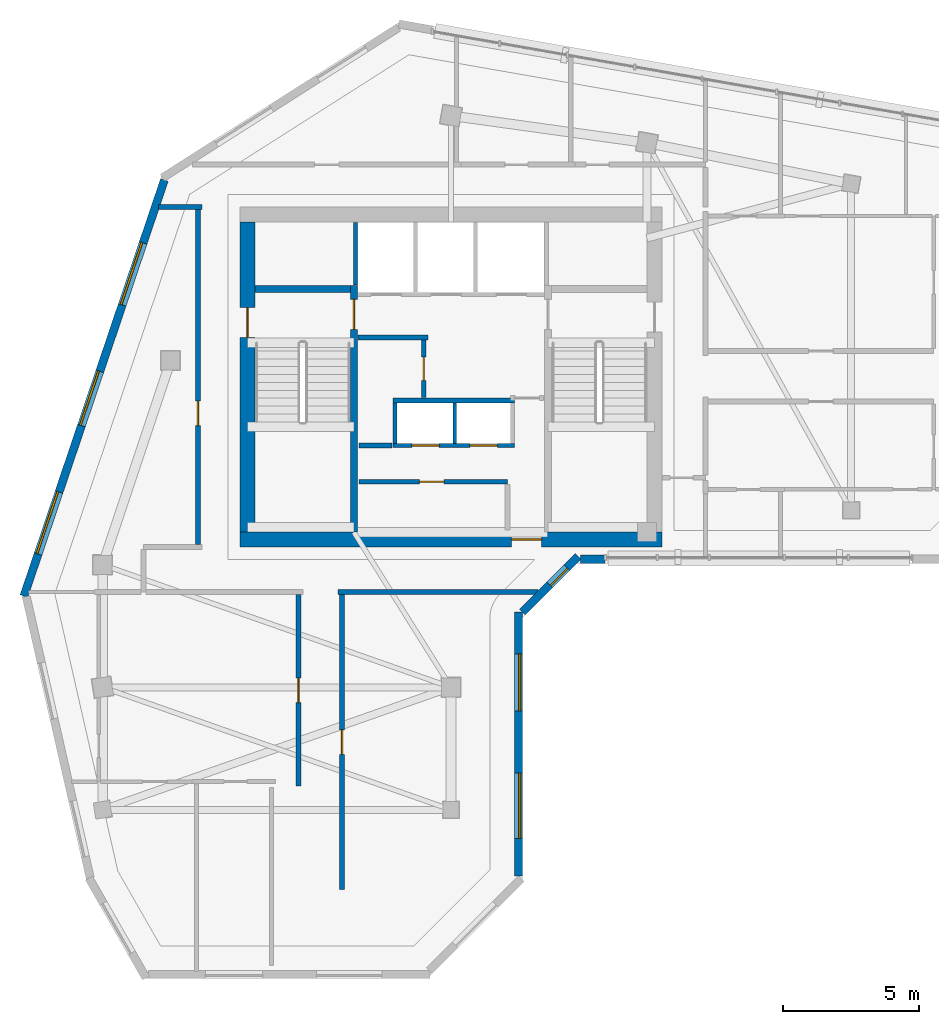
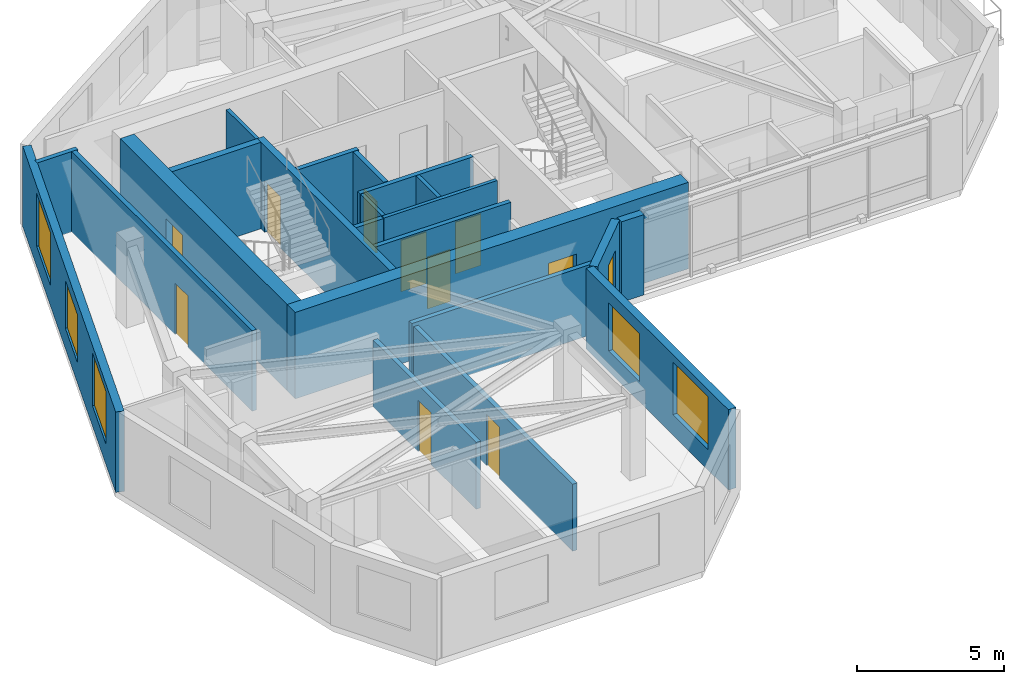
# One storey, part 4 of 9: 22 walls, 10 doors, 6 windows, 16 openings.
"""IFC4 building model written with IfcOpenShell, lengths in metres."""

from ifc_helpers import new_model, si_unit, direction, frame, frame_2d, origin, place, context, subcontext, project, spatial, rectangle, extrude, source, transform, mapped, material, layer, layer_set, type_object, element, fill, save


model = new_model("IFC4")

# Units and contexts
model_context = context("Model", 3, precision=1e-05, world=origin(), true_north=direction((0.0, 1.0)))
body_context = subcontext(model_context, "Body", "Model", "MODEL_VIEW")
ifc_project = project(units=[si_unit("LENGTHUNIT", "METRE"), si_unit("AREAUNIT", "SQUARE_METRE"), si_unit("VOLUMEUNIT", "CUBIC_METRE"), si_unit("PLANEANGLEUNIT", "RADIAN"), si_unit("MASSUNIT", "GRAM", prefix="KILO")], contexts=[model_context])

# Site, building, storey
site_placement = place(None, origin())
site = spatial("IfcSite", under=ifc_project, at=site_placement, CompositionType="ELEMENT")
building_placement = place(site_placement, origin())
building = spatial("IfcBuilding", under=site, at=building_placement, Name="Calvemar Wedge Station Tower", CompositionType="ELEMENT")
storey_placement = place(building_placement, frame((0.0, 0.0, 260.10009765625)))
storey = spatial("IfcBuildingStorey", under=building, at=storey_placement, Name="L66", CompositionType="ELEMENT", Elevation=260.10009765625)

# Wall, opening, door
ifc_material_1 = material(Name="Concrete C50", Category="concrete")
ifc_layer_1 = layer(ifc_material_1, 0.260009765625)
ifc_layer_set_1 = layer_set([ifc_layer_1], Name="Concrete C50")
wall_type_1 = type_object("IfcWallType", Name="SW-CORE-260", PredefinedType="SHEAR", material=ifc_layer_set_1)
wall_1_placement = place(storey_placement, frame((20.22998046875, 34.199951171875, 0.0), z_axis=(0.0, 0.0, 1.0), x_axis=(0.0, 1.0, 0.0)))
wall_1 = element("IfcWall", 1, at=wall_1_placement, inside=storey, type_object=wall_type_1, Name="Storey L66 Core Shear Wall SPINE-W", PredefinedType="SHEAR", context=body_context, shape_type="SweptSolid", body=[
    extrude(rectangle(XDim=9.06005859375, YDim=0.260009765625, at=frame_2d((4.530029296875, 0.0))), origin(), (0.0, 0.0, 1.0), 3.599853515625),
])
shared_shape_1 = source(origin(), body_context, "Body", "SweptSolid", [
    extrude(rectangle(XDim=1.10009765625, YDim=2.14990234375, at=frame_2d((0.550048828125, 1.074951171875))), frame((0.0, 0.14013671875, 0.0), z_axis=(0.0, -1.0, 0.0), x_axis=(1.0, 0.0, 0.0)), (0.0, 0.0, 1.0), 0.280029296875),
])
opening_1_placement = place(wall_1_placement, frame((7.449951171875, 0.0, 0.0)))
opening_1 = element("IfcOpeningElement", 2, at=opening_1_placement, cuts=wall_1, Name="Opening FD-90", PredefinedType="OPENING", context=body_context, shape_type="MappedRepresentation", body=[
    mapped(shared_shape_1, transform((0.0, 0.0, 0.0), scale=1.0)),
])
ifc_material_2 = material(Name="Galvanized fire-rated steel door leaf P-90", Category="steel")
door_type_1 = type_object("IfcDoorType", Name="DR-FD90-1100", OperationType="NOTDEFINED", PredefinedType="DOOR", material=ifc_material_2)
shared_shape_2 = source(origin(), body_context, "Body", "SweptSolid", [
    extrude(rectangle(XDim=1.10009765625, YDim=2.14990234375, at=frame_2d((0.550048828125, 1.074951171875))), frame((0.0, 0.02490234375, 0.0), z_axis=(0.0, -1.0, 0.0), x_axis=(1.0, 0.0, 0.0)), (0.0, 0.0, 1.0), 0.050048828125),
])
door_1_placement = place(opening_1_placement, origin())
door_1 = element("IfcDoor", 3, at=door_1_placement, inside=storey, type_object=door_type_1, Name="L66 FF Lobby to Stair ST-C1 Door", OperationType="SINGLE_SWING_LEFT", OverallHeight=2.14990234375, OverallWidth=1.10009765625, PredefinedType="DOOR", context=body_context, shape_type="MappedRepresentation", body=[
    mapped(shared_shape_2, transform((0.0, 0.0, 0.0), scale=1.0)),
])
fill(opening_1, door_1)

# Wall
wall_2_placement = place(storey_placement, frame((16.60009765625, 43.1298828125, 0.0), z_axis=(0.0, 0.0, 1.0), x_axis=(1.0, 0.0, 0.0)))
element("IfcWall", 4, at=wall_2_placement, inside=storey, type_object=wall_type_1, Name="Storey L66 Core Shear Wall STC1-N", PredefinedType="SHEAR", context=body_context, shape_type="SweptSolid", body=[
    extrude(rectangle(XDim=3.5, YDim=0.260009765625, at=frame_2d((1.75, 0.0))), origin(), (0.0, 0.0, 1.0), 3.599853515625),
])

# Wall, opening, door
ifc_material_3 = material(Name="Concrete C60", Category="concrete")
ifc_layer_2 = layer(ifc_material_3, 0.550048828125)
ifc_layer_set_2 = layer_set([ifc_layer_2], Name="Concrete C60")
wall_type_2 = type_object("IfcWallType", Name="SW-CORE-550", PredefinedType="SHEAR", material=ifc_layer_set_2)
wall_3_placement = place(storey_placement, frame((16.050048828125, 33.925048828125, 0.0), z_axis=(0.0, 0.0, 1.0), x_axis=(1.0, 0.0, 0.0)))
wall_3 = element("IfcWall", 5, at=wall_3_placement, inside=storey, type_object=wall_type_2, Name="Storey L66 Core Shear Wall S", PredefinedType="SHEAR", context=body_context, shape_type="SweptSolid", body=[
    extrude(rectangle(XDim=15.5, YDim=0.550048828125, at=frame_2d((7.75, 0.0))), origin(), (0.0, 0.0, 1.0), 3.599853515625),
])
shared_shape_3 = source(origin(), body_context, "Body", "SweptSolid", [
    extrude(rectangle(XDim=1.10009765625, YDim=2.14990234375, at=frame_2d((0.550048828125, 1.074951171875))), frame((0.0, 0.28515625, 0.0), z_axis=(0.0, -1.0, 0.0), x_axis=(1.0, 0.0, 0.0)), (0.0, 0.0, 1.0), 0.570068359375),
])
opening_2_placement = place(wall_3_placement, frame((9.97998046875, 0.0, 0.0)))
opening_2 = element("IfcOpeningElement", 6, at=opening_2_placement, cuts=wall_3, Name="Opening FD-90", PredefinedType="OPENING", context=body_context, shape_type="MappedRepresentation", body=[
    mapped(shared_shape_3, transform((0.0, 0.0, 0.0), scale=1.0)),
])
door_2_placement = place(opening_2_placement, origin())
door_2 = element("IfcDoor", 7, at=door_2_placement, inside=storey, type_object=door_type_1, Name="L66 Passenger Lift Lobby Door", OperationType="SINGLE_SWING_LEFT", OverallHeight=2.14990234375, OverallWidth=1.10009765625, PredefinedType="DOOR", context=body_context, shape_type="MappedRepresentation", body=[
    mapped(shared_shape_2, transform((0.0, 0.0, 0.0), scale=1.0)),
])
fill(opening_2, door_2)

wall_4_placement = place(storey_placement, frame((16.324951171875, 34.199951171875, 0.0), z_axis=(0.0, 0.0, 1.0), x_axis=(0.0, 1.0, 0.0)))
wall_4 = element("IfcWall", 8, at=wall_4_placement, inside=storey, type_object=wall_type_2, Name="Storey L66 Core Shear Wall W", PredefinedType="SHEAR", context=body_context, shape_type="SweptSolid", body=[
    extrude(rectangle(XDim=11.400146484375, YDim=0.550048828125, at=frame_2d((5.7001953125, 0.0))), origin(), (0.0, 0.0, 1.0), 3.599853515625),
])
opening_3_placement = place(wall_4_placement, frame((7.14990234375, 0.0, 0.0)))
opening_3 = element("IfcOpeningElement", 9, at=opening_3_placement, cuts=wall_4, Name="Opening FD-90", PredefinedType="OPENING", context=body_context, shape_type="MappedRepresentation", body=[
    mapped(shared_shape_3, transform((0.0, 0.0, 0.0), scale=1.0)),
])
door_3_placement = place(opening_3_placement, origin())
door_3 = element("IfcDoor", 10, at=door_3_placement, inside=storey, type_object=door_type_1, Name="L66 West Corridor to Exit Stair ST-C1 Door", OperationType="SINGLE_SWING_LEFT", OverallHeight=2.14990234375, OverallWidth=1.10009765625, PredefinedType="DOOR", context=body_context, shape_type="MappedRepresentation", body=[
    mapped(shared_shape_2, transform((0.0, 0.0, 0.0), scale=1.0)),
])
fill(opening_3, door_3)

# Wall
ifc_material_4 = material(Name="Double-stud fire-rated corridor partition")
ifc_layer_3 = layer(ifc_material_4, 0.179931640625)
ifc_layer_set_3 = layer_set([ifc_layer_3], Name="Double-stud fire-rated corridor partition")
wall_type_3 = type_object("IfcWallType", Name="W-CORR-180", PredefinedType="PARTITIONING", material=ifc_layer_set_3)
wall_5_placement = place(storey_placement, frame((22.9599609375, 41.35009765625, 0.0), z_axis=(0.0, 0.0, 1.0), x_axis=(-1.0, 0.0, 0.0)))
element("IfcWall", 11, at=wall_5_placement, inside=storey, type_object=wall_type_3, Name="Storey L66 Interior Partition WL-L66-001", PredefinedType="PARTITIONING", context=body_context, shape_type="SweptSolid", body=[
    extrude(rectangle(XDim=2.580078125, YDim=0.179931640625, at=frame_2d((1.2900390625, 0.0))), origin(), (0.0, 0.0, 1.0), 3.349853515625),
])

# Wall, opening, door
wall_6_placement = place(storey_placement, frame((22.800048828125, 41.256103515625, 0.0), z_axis=(0.0, 0.0, 1.0), x_axis=(0.0, -1.0, 0.0)))
wall_6 = element("IfcWall", 12, at=wall_6_placement, inside=storey, type_object=wall_type_3, Name="Storey L66 Interior Partition WL-L66-002", PredefinedType="PARTITIONING", context=body_context, shape_type="SweptSolid", body=[
    extrude(rectangle(XDim=2.106201171875, YDim=0.179931640625, at=frame_2d((1.05322265625, 0.0))), origin(), (0.0, 0.0, 1.0), 3.349853515625),
])
shared_shape_4 = source(origin(), body_context, "Body", "SweptSolid", [
    extrude(rectangle(XDim=0.85009765625, YDim=2.14990234375, at=frame_2d((0.425048828125, 1.074951171875))), frame((0.0, 0.10009765625, 0.0), z_axis=(0.0, -1.0, 0.0), x_axis=(1.0, 0.0, 0.0)), (0.0, 0.0, 1.0), 0.199951171875),
])
opening_4_placement = place(wall_6_placement, frame((0.6279296875, 0.0, 0.0)))
opening_4 = element("IfcOpeningElement", 13, at=opening_4_placement, cuts=wall_6, Name="Opening FD-60S", PredefinedType="OPENING", context=body_context, shape_type="MappedRepresentation", body=[
    mapped(shared_shape_4, transform((0.0, 0.0, 0.0), scale=1.0)),
])
ifc_material_5 = material(Name="Fire-rated steel and hardwood service door EI 60", Category="steel")
door_type_2 = type_object("IfcDoorType", Name="DR-CORE-FD60-850", OperationType="NOTDEFINED", PredefinedType="DOOR", material=ifc_material_5)
shared_shape_5 = source(origin(), body_context, "Body", "SweptSolid", [
    extrude(rectangle(XDim=0.85009765625, YDim=2.14990234375, at=frame_2d((0.425048828125, 1.074951171875))), frame((0.0, 0.02490234375, 0.0), z_axis=(0.0, -1.0, 0.0), x_axis=(1.0, 0.0, 0.0)), (0.0, 0.0, 1.0), 0.050048828125),
])
door_4_placement = place(opening_4_placement, origin())
door_4 = element("IfcDoor", 14, at=door_4_placement, inside=storey, type_object=door_type_2, Name="L66 Core Electrical Switch Room Door", OperationType="SINGLE_SWING_RIGHT", OverallHeight=2.14990234375, OverallWidth=0.85009765625, PredefinedType="DOOR", context=body_context, shape_type="MappedRepresentation", body=[
    mapped(shared_shape_5, transform((0.0, 0.0, 0.0), scale=1.0)),
])
fill(opening_4, door_4)

# Wall
wall_7_placement = place(storey_placement, frame((21.6298828125, 37.3798828125, 0.0), z_axis=(0.0, 0.0, 1.0), x_axis=(-1.0, 0.0, 0.0)))
element("IfcWall", 15, at=wall_7_placement, inside=storey, type_object=wall_type_3, Name="Storey L66 Interior Partition WL-L66-003", PredefinedType="PARTITIONING", context=body_context, shape_type="SweptSolid", body=[
    extrude(rectangle(XDim=1.2099609375, YDim=0.179931640625, at=frame_2d((0.60498046875, 0.0))), origin(), (0.0, 0.0, 1.0), 3.349853515625),
])

# Wall, opening, door
wall_8_placement = place(storey_placement, frame((20.419921875, 36.050048828125, 0.0), z_axis=(0.0, 0.0, 1.0), x_axis=(1.0, 0.0, 0.0)))
wall_8 = element("IfcWall", 16, at=wall_8_placement, inside=storey, type_object=wall_type_3, Name="Storey L66 Interior Partition WL-L66-005", PredefinedType="PARTITIONING", context=body_context, shape_type="SweptSolid", body=[
    extrude(rectangle(XDim=5.4599609375, YDim=0.179931640625, at=frame_2d((2.72998046875, 0.0))), origin(), (0.0, 0.0, 1.0), 3.349853515625),
])
shared_shape_6 = source(origin(), body_context, "Body", "SweptSolid", [
    extrude(rectangle(XDim=0.89990234375, YDim=2.14990234375, at=frame_2d((0.449951171875, 1.074951171875))), frame((0.0, 0.10009765625, 0.0), z_axis=(0.0, -1.0, 0.0), x_axis=(1.0, 0.0, 0.0)), (0.0, 0.0, 1.0), 0.199951171875),
])
opening_5_placement = place(wall_8_placement, frame((2.219482421875, 0.0, 0.0)))
opening_5 = element("IfcOpeningElement", 17, at=opening_5_placement, cuts=wall_8, Name="Opening FD-60", PredefinedType="OPENING", context=body_context, shape_type="MappedRepresentation", body=[
    mapped(shared_shape_6, transform((0.0, 0.0, 0.0), scale=1.0)),
])
ifc_material_6 = material(Name="Fire-rated acoustic timber-core entrance door EI 60", Category="wood")
door_type_3 = type_object("IfcDoorType", Name="DR-FD60-900", OperationType="NOTDEFINED", PredefinedType="DOOR", material=ifc_material_6)
shared_shape_7 = source(origin(), body_context, "Body", "SweptSolid", [
    extrude(rectangle(XDim=0.89990234375, YDim=2.14990234375, at=frame_2d((0.449951171875, 1.074951171875))), frame((0.0, 0.02490234375, 0.0), z_axis=(0.0, -1.0, 0.0), x_axis=(1.0, 0.0, 0.0)), (0.0, 0.0, 1.0), 0.050048828125),
])
door_5_placement = place(opening_5_placement, origin())
door_5 = element("IfcDoor", 18, at=door_5_placement, inside=storey, type_object=door_type_3, Name="L66 Wine and Parcel Store Door", OperationType="SINGLE_SWING_RIGHT", OverallHeight=2.14990234375, OverallWidth=0.89990234375, PredefinedType="DOOR", context=body_context, shape_type="MappedRepresentation", body=[
    mapped(shared_shape_7, transform((0.0, 0.0, 0.0), scale=1.0)),
])
fill(opening_5, door_5)

# Wall
wall_9_placement = place(storey_placement, frame((27.001220703125, 32.0, 0.0), z_axis=(0.0, 0.0, 1.0), x_axis=(-1.0, 0.0, 0.0)))
element("IfcWall", 19, at=wall_9_placement, inside=storey, type_object=wall_type_3, Name="Storey L66 Interior Partition WL-L66-011", PredefinedType="PARTITIONING", context=body_context, shape_type="SweptSolid", body=[
    extrude(rectangle(XDim=7.361328125, YDim=0.179931640625, at=frame_2d((3.6806640625, 0.0))), origin(), (0.0, 0.0, 1.0), 2.934814453125),
])

# Wall, opening, door
wall_10_placement = place(storey_placement, frame((14.5, 33.743896484375, 0.0), z_axis=(0.0, 0.0, 1.0), x_axis=(0.0, 1.0, 0.0)))
wall_10 = element("IfcWall", 20, at=wall_10_placement, inside=storey, type_object=wall_type_3, Name="Storey L66 Interior Partition WL-L66-012", PredefinedType="PARTITIONING", context=body_context, shape_type="SweptSolid", body=[
    extrude(rectangle(XDim=12.406005859375, YDim=0.179931640625, at=frame_2d((6.203125, 0.0))), origin(), (0.0, 0.0, 1.0), 3.349853515625),
])
opening_6_placement = place(wall_10_placement, frame((4.36962890625, 0.0, 0.0)))
opening_6 = element("IfcOpeningElement", 21, at=opening_6_placement, cuts=wall_10, Name="Opening D-01", PredefinedType="OPENING", context=body_context, shape_type="MappedRepresentation", body=[
    mapped(shared_shape_6, transform((0.0, 0.0, 0.0), scale=1.0)),
])
ifc_material_7 = material(Name="Architectural hardwood acoustic swing door", Category="wood")
door_type_4 = type_object("IfcDoorType", Name="DR-INT-900", OperationType="NOTDEFINED", PredefinedType="DOOR", material=ifc_material_7)
shared_shape_8 = source(origin(), body_context, "Body", "SweptSolid", [
    extrude(rectangle(XDim=0.89990234375, YDim=2.14990234375, at=frame_2d((0.449951171875, 1.074951171875))), frame((0.0, 0.02490234375, 0.0), z_axis=(0.0, -1.0, 0.0), x_axis=(1.0, 0.0, 0.0)), (0.0, 0.0, 1.0), 0.050048828125),
])
door_6_placement = place(opening_6_placement, origin())
door_6 = element("IfcDoor", 22, at=door_6_placement, inside=storey, type_object=door_type_4, Name="L66 Resident Reading Lounge Door", OperationType="SINGLE_SWING_LEFT", OverallHeight=2.14990234375, OverallWidth=0.89990234375, PredefinedType="DOOR", context=body_context, shape_type="MappedRepresentation", body=[
    mapped(shared_shape_8, transform((0.0, 0.0, 0.0), scale=1.0)),
])
fill(opening_6, door_6)

# Wall
wall_11_placement = place(storey_placement, frame((14.659912109375, 46.14990234375, 0.0), z_axis=(0.0, 0.0, 1.0), x_axis=(-1.0, 0.0, 0.0)))
element("IfcWall", 23, at=wall_11_placement, inside=storey, type_object=wall_type_3, Name="Storey L66 Interior Partition WL-L66-013", PredefinedType="PARTITIONING", context=body_context, shape_type="SweptSolid", body=[
    extrude(rectangle(XDim=1.602294921875, YDim=0.179931640625, at=frame_2d((0.80126953125, 0.0))), origin(), (0.0, 0.0, 1.0), 3.349853515625),
])

# Wall, opening, door
wall_12_placement = place(storey_placement, frame((18.199951171875, 24.8720703125, 0.0), z_axis=(0.0, 0.0, 1.0), x_axis=(0.0, 1.0, 0.0)))
wall_12 = element("IfcWall", 24, at=wall_12_placement, inside=storey, type_object=wall_type_3, Name="Storey L66 Interior Partition WL-L66-042", PredefinedType="PARTITIONING", context=body_context, shape_type="SweptSolid", body=[
    extrude(rectangle(XDim=7.033935546875, YDim=0.179931640625, at=frame_2d((3.51708984375, 0.0))), origin(), (0.0, 0.0, 1.0), 2.787841796875),
])
opening_7_placement = place(wall_12_placement, frame((3.06689453125, 0.0, 0.0)))
opening_7 = element("IfcOpeningElement", 25, at=opening_7_placement, cuts=wall_12, Name="Opening FD-60", PredefinedType="OPENING", context=body_context, shape_type="MappedRepresentation", body=[
    mapped(shared_shape_6, transform((0.0, 0.0, 0.0), scale=1.0)),
])
door_7_placement = place(opening_7_placement, origin())
door_7 = element("IfcDoor", 26, at=door_7_placement, inside=storey, type_object=door_type_3, Name="L66 Living Dining Door", OperationType="SINGLE_SWING_LEFT", OverallHeight=2.14990234375, OverallWidth=0.89990234375, PredefinedType="DOOR", context=body_context, shape_type="MappedRepresentation", body=[
    mapped(shared_shape_7, transform((0.0, 0.0, 0.0), scale=1.0)),
])
fill(opening_7, door_7)

wall_13_placement = place(storey_placement, frame((19.800048828125, 31.906005859375, 0.0), z_axis=(0.0, 0.0, 1.0), x_axis=(0.0, -1.0, 0.0)))
wall_13 = element("IfcWall", 27, at=wall_13_placement, inside=storey, type_object=wall_type_3, Name="Storey L66 Interior Partition WL-L66-043", PredefinedType="PARTITIONING", context=body_context, shape_type="SweptSolid", body=[
    extrude(rectangle(XDim=10.841064453125, YDim=0.179931640625, at=frame_2d((5.42041015625, 0.0))), origin(), (0.0, 0.0, 1.0), 2.787841796875),
])
opening_8_placement = place(wall_13_placement, frame((4.970458984375, 0.0, 0.0)))
opening_8 = element("IfcOpeningElement", 28, at=opening_8_placement, cuts=wall_13, Name="Opening D-01", PredefinedType="OPENING", context=body_context, shape_type="MappedRepresentation", body=[
    mapped(shared_shape_6, transform((0.0, 0.0, 0.0), scale=1.0)),
])
door_8_placement = place(opening_8_placement, origin())
door_8 = element("IfcDoor", 29, at=door_8_placement, inside=storey, type_object=door_type_4, Name="L66 Sky Wellness Fitness Studio Door", OperationType="SINGLE_SWING_LEFT", OverallHeight=2.14990234375, OverallWidth=0.89990234375, PredefinedType="DOOR", context=body_context, shape_type="MappedRepresentation", body=[
    mapped(shared_shape_8, transform((0.0, 0.0, 0.0), scale=1.0)),
])
fill(opening_8, door_8)

# Wall, openings, windows
ifc_material_8 = material(Name="Precast concrete C45", Category="concrete")
ifc_layer_4 = layer(ifc_material_8, 0.300048828125)
ifc_layer_set_4 = layer_set([ifc_layer_4], Name="Precast concrete C45")
wall_type_4 = type_object("IfcWallType", Name="W-EXT-GFRC-300", PredefinedType="SOLIDWALL", material=ifc_layer_set_4)
wall_14_placement = place(storey_placement, frame((26.281982421875, 21.557373046875, 0.0), z_axis=(0.0, 0.0, 1.0), x_axis=(0.0, 1.0, 0.0)))
wall_14 = element("IfcWall", 30, at=wall_14_placement, inside=storey, type_object=wall_type_4, Name="Storey L66 Bronze GFRC Exterior Wall 4", PredefinedType="SOLIDWALL", context=body_context, shape_type="SweptSolid", body=[
    extrude(rectangle(XDim=9.710693359375, YDim=0.300048828125, at=frame_2d((4.85546875, 0.0))), origin(), (0.0, 0.0, 1.0), 3.349853515625),
])
shared_shape_9 = source(origin(), body_context, "Body", "SweptSolid", [
    extrude(rectangle(XDim=2.39990234375, YDim=2.199951171875, at=frame_2d((1.199951171875, 1.10009765625))), frame((0.0, 0.16015625, 0.0), z_axis=(0.0, -1.0, 0.0), x_axis=(1.0, 0.0, 0.0)), (0.0, 0.0, 1.0), 0.320068359375),
])
opening_9_placement = place(wall_14_placement, frame((1.387939453125, 0.0, 0.85009765625)))
opening_9 = element("IfcOpeningElement", 31, at=opening_9_placement, cuts=wall_14, Name="Opening W1", PredefinedType="OPENING", context=body_context, shape_type="MappedRepresentation", body=[
    mapped(shared_shape_9, transform((0.0, 0.0, 0.0), scale=1.0)),
])
shared_shape_10 = source(origin(), body_context, "Body", "SweptSolid", [
    extrude(rectangle(XDim=2.10009765625, YDim=2.0, at=frame_2d((1.050048828125, 1.0))), frame((0.0, 0.16015625, 0.0), z_axis=(0.0, -1.0, 0.0), x_axis=(1.0, 0.0, 0.0)), (0.0, 0.0, 1.0), 0.320068359375),
])
opening_10_placement = place(wall_14_placement, frame((6.072998046875, 0.0, 0.85009765625)))
opening_10 = element("IfcOpeningElement", 32, at=opening_10_placement, cuts=wall_14, Name="Opening W4", PredefinedType="OPENING", context=body_context, shape_type="MappedRepresentation", body=[
    mapped(shared_shape_10, transform((0.0, 0.0, 0.0), scale=1.0)),
])
ifc_material_9 = material(Name="Low-E laminated insulated glass", Category="glass")
window_type_1 = type_object("IfcWindowType", Name="WIN-EXT-4", PartitioningType="SINGLE_PANEL", PredefinedType="WINDOW", material=ifc_material_9)
shared_shape_11 = source(origin(), body_context, "Body", "SweptSolid", [
    extrude(rectangle(XDim=2.10009765625, YDim=2.0, at=frame_2d((1.050048828125, 1.0))), frame((0.0, -0.014892578125, 0.0), z_axis=(0.0, -1.0, 0.0), x_axis=(1.0, 0.0, 0.0)), (0.0, 0.0, 1.0), 0.06005859375),
])
window_1_placement = place(opening_10_placement, origin())
window_1 = element("IfcWindow", 33, at=window_1_placement, inside=storey, type_object=window_type_1, Name="Storey L66 Recessed Window 4.2", OverallHeight=2.0, OverallWidth=2.10009765625, PartitioningType="SINGLE_PANEL", PredefinedType="WINDOW", context=body_context, shape_type="MappedRepresentation", body=[
    mapped(shared_shape_11, transform((0.0, 0.0, 0.0), scale=1.0)),
])
fill(opening_10, window_1)
window_type_2 = type_object("IfcWindowType", Name="WIN-EXT-1", PartitioningType="SINGLE_PANEL", PredefinedType="WINDOW", material=ifc_material_9)
shared_shape_12 = source(origin(), body_context, "Body", "SweptSolid", [
    extrude(rectangle(XDim=2.39990234375, YDim=2.199951171875, at=frame_2d((1.199951171875, 1.10009765625))), frame((0.0, -0.014892578125, 0.0), z_axis=(0.0, -1.0, 0.0), x_axis=(1.0, 0.0, 0.0)), (0.0, 0.0, 1.0), 0.06005859375),
])
window_2_placement = place(opening_9_placement, origin())
window_2 = element("IfcWindow", 34, at=window_2_placement, inside=storey, type_object=window_type_2, Name="Storey L66 Recessed Window 4.1", OverallHeight=2.199951171875, OverallWidth=2.39990234375, PartitioningType="SINGLE_PANEL", PredefinedType="WINDOW", context=body_context, shape_type="MappedRepresentation", body=[
    mapped(shared_shape_12, transform((0.0, 0.0, 0.0), scale=1.0)),
])
fill(opening_9, window_2)

# Wall, opening, window
wall_15_placement = place(storey_placement, frame((26.419921875, 31.256103515625, 0.0), z_axis=(0.0, 0.0, 1.0), x_axis=(0.707106781187, 0.707106781187, 0.0)))
wall_15 = element("IfcWall", 35, at=wall_15_placement, inside=storey, type_object=wall_type_4, Name="Storey L66 Bronze GFRC Exterior Wall 5", PredefinedType="SOLIDWALL", context=body_context, shape_type="SweptSolid", body=[
    extrude(rectangle(XDim=2.907470703125, YDim=0.300048828125, at=frame_2d((1.45361328125, 0.0))), origin(), (0.0, 0.0, 1.0), 3.349853515625),
])
shared_shape_13 = source(origin(), body_context, "Body", "SweptSolid", [
    extrude(rectangle(XDim=0.89990234375, YDim=1.60009765625, at=frame_2d((0.449951171875, 0.800048828125))), frame((0.0, 0.16015625, 0.0), z_axis=(0.0, -1.0, 0.0), x_axis=(1.0, 0.0, 0.0)), (0.0, 0.0, 1.0), 0.320068359375),
])
opening_11_placement = place(wall_15_placement, frame((1.422119140625, 0.0, 0.85009765625)))
opening_11 = element("IfcOpeningElement", 36, at=opening_11_placement, cuts=wall_15, Name="Opening W7", PredefinedType="OPENING", context=body_context, shape_type="MappedRepresentation", body=[
    mapped(shared_shape_13, transform((0.0, 0.0, 0.0), scale=1.0)),
])
window_type_3 = type_object("IfcWindowType", Name="WIN-EXT-7", PartitioningType="SINGLE_PANEL", PredefinedType="WINDOW", material=ifc_material_9)
shared_shape_14 = source(origin(), body_context, "Body", "SweptSolid", [
    extrude(rectangle(XDim=0.89990234375, YDim=1.60009765625, at=frame_2d((0.449951171875, 0.800048828125))), frame((0.0, -0.014892578125, 0.0), z_axis=(0.0, -1.0, 0.0), x_axis=(1.0, 0.0, 0.0)), (0.0, 0.0, 1.0), 0.06005859375),
])
window_3_placement = place(opening_11_placement, origin())
window_3 = element("IfcWindow", 37, at=window_3_placement, inside=storey, type_object=window_type_3, Name="Storey L66 Recessed Window 5.1", OverallHeight=1.60009765625, OverallWidth=0.89990234375, PartitioningType="SINGLE_PANEL", PredefinedType="WINDOW", context=body_context, shape_type="MappedRepresentation", body=[
    mapped(shared_shape_14, transform((0.0, 0.0, 0.0), scale=1.0)),
])
fill(opening_11, window_3)

# Wall
wall_16_placement = place(storey_placement, frame((28.56494140625, 33.2060546875, 0.0), z_axis=(0.0, 0.0, 1.0), x_axis=(1.0, 0.0, 0.0)))
element("IfcWall", 38, at=wall_16_placement, inside=storey, type_object=wall_type_4, Name="Storey L66 Bronze GFRC Corner Pier 6A", PredefinedType="SOLIDWALL", context=body_context, shape_type="SweptSolid", body=[
    extrude(rectangle(XDim=0.885009765625, YDim=0.300048828125, at=frame_2d((0.4423828125, 0.0))), origin(), (0.0, 0.0, 1.0), 3.349853515625),
])

# Wall, openings, windows
wall_17_placement = place(storey_placement, frame((13.2685546875, 47.1337890625, 0.0), z_axis=(0.0, 0.0, 1.0), x_axis=(-0.3199211297, -0.947444178182, 0.0)))
wall_17 = element("IfcWall", 39, at=wall_17_placement, inside=storey, type_object=wall_type_4, Name="Storey L66 Bronze GFRC Exterior Wall 12", PredefinedType="SOLIDWALL", context=body_context, shape_type="SweptSolid", body=[
    extrude(rectangle(XDim=16.1318359375, YDim=0.300048828125, at=frame_2d((8.06591796875, 0.0))), origin(), (0.0, 0.0, 1.0), 3.349853515625),
])
opening_12_placement = place(wall_17_placement, frame((2.43505859375, 0.0, 0.85009765625)))
opening_12 = element("IfcOpeningElement", 40, at=opening_12_placement, cuts=wall_17, Name="Opening W1", PredefinedType="OPENING", context=body_context, shape_type="MappedRepresentation", body=[
    mapped(shared_shape_9, transform((0.0, 0.0, 0.0), scale=1.0)),
])
opening_13_placement = place(wall_17_placement, frame((7.4169921875, 0.0, 0.85009765625)))
opening_13 = element("IfcOpeningElement", 41, at=opening_13_placement, cuts=wall_17, Name="Opening W4", PredefinedType="OPENING", context=body_context, shape_type="MappedRepresentation", body=[
    mapped(shared_shape_10, transform((0.0, 0.0, 0.0), scale=1.0)),
])
opening_14_placement = place(wall_17_placement, frame((12.09912109375, 0.0, 0.85009765625)))
opening_14 = element("IfcOpeningElement", 42, at=opening_14_placement, cuts=wall_17, Name="Opening W1", PredefinedType="OPENING", context=body_context, shape_type="MappedRepresentation", body=[
    mapped(shared_shape_9, transform((0.0, 0.0, 0.0), scale=1.0)),
])
window_4_placement = place(opening_13_placement, origin())
window_4 = element("IfcWindow", 43, at=window_4_placement, inside=storey, type_object=window_type_1, Name="Storey L66 Recessed Window 12.2", OverallHeight=2.0, OverallWidth=2.10009765625, PartitioningType="SINGLE_PANEL", PredefinedType="WINDOW", context=body_context, shape_type="MappedRepresentation", body=[
    mapped(shared_shape_11, transform((0.0, 0.0, 0.0), scale=1.0)),
])
fill(opening_13, window_4)
window_5_placement = place(opening_12_placement, origin())
window_5 = element("IfcWindow", 44, at=window_5_placement, inside=storey, type_object=window_type_2, Name="Storey L66 Recessed Window 12.1", OverallHeight=2.199951171875, OverallWidth=2.39990234375, PartitioningType="SINGLE_PANEL", PredefinedType="WINDOW", context=body_context, shape_type="MappedRepresentation", body=[
    mapped(shared_shape_12, transform((0.0, 0.0, 0.0), scale=1.0)),
])
fill(opening_12, window_5)
window_6_placement = place(opening_14_placement, origin())
window_6 = element("IfcWindow", 45, at=window_6_placement, inside=storey, type_object=window_type_2, Name="Storey L66 Recessed Window 12.3", OverallHeight=2.199951171875, OverallWidth=2.39990234375, PartitioningType="SINGLE_PANEL", PredefinedType="WINDOW", context=body_context, shape_type="MappedRepresentation", body=[
    mapped(shared_shape_12, transform((0.0, 0.0, 0.0), scale=1.0)),
])
fill(opening_14, window_6)

# Wall
ifc_material_10 = material(Name="Reinforced concrete blockwork lift shaft wall", Category="masonry")
ifc_layer_5 = layer(ifc_material_10, 0.139892578125)
ifc_layer_set_5 = layer_set([ifc_layer_5], Name="Reinforced concrete blockwork lift shaft wall")
wall_type_5 = type_object("IfcWallType", Name="W-LIFT-160", PredefinedType="SOLIDWALL", material=ifc_layer_set_5)
wall_18_placement = place(storey_placement, frame((20.2900390625, 43.280029296875, 0.0), z_axis=(0.0, 0.0, 1.0), x_axis=(0.0, 1.0, 0.0)))
element("IfcWall", 46, at=wall_18_placement, inside=storey, type_object=wall_type_5, Name="Storey L66 Firefighting Lift Shaft Enclosure Wall W", PredefinedType="SOLIDWALL", context=body_context, shape_type="SweptSolid", body=[
    extrude(rectangle(XDim=2.300048828125, YDim=0.139892578125, at=frame_2d((1.14990234375, 0.0))), origin(), (0.0, 0.0, 1.0), 3.349853515625),
])

# Wall, openings, doors
wall_19_placement = place(storey_placement, frame((21.669921875, 37.3798828125, 0.0), z_axis=(0.0, 0.0, 1.0), x_axis=(1.0, 0.0, 0.0)))
wall_19 = element("IfcWall", 47, at=wall_19_placement, inside=storey, type_object=wall_type_5, Name="Storey L66 Upper Passenger Lift Bank Front Wall", PredefinedType="SOLIDWALL", context=body_context, shape_type="SweptSolid", body=[
    extrude(rectangle(XDim=4.4599609375, YDim=0.139892578125, at=frame_2d((2.22998046875, 0.0))), origin(), (0.0, 0.0, 1.0), 3.349853515625),
])
shared_shape_15 = source(origin(), body_context, "Body", "SweptSolid", [
    extrude(rectangle(XDim=1.0, YDim=2.14990234375, at=frame_2d((0.5, 1.074951171875))), frame((0.0, 0.080078125, 0.0), z_axis=(0.0, -1.0, 0.0), x_axis=(1.0, 0.0, 0.0)), (0.0, 0.0, 1.0), 0.159912109375),
])
opening_15_placement = place(wall_19_placement, frame((0.695068359375, 0.0, 0.0)))
opening_15 = element("IfcOpeningElement", 48, at=opening_15_placement, cuts=wall_19, Name="Opening LD-PAX", PredefinedType="OPENING", context=body_context, shape_type="MappedRepresentation", body=[
    mapped(shared_shape_15, transform((0.0, 0.0, 0.0), scale=1.0)),
])
opening_16_placement = place(wall_19_placement, frame((2.8349609375, 0.0, 0.0)))
opening_16 = element("IfcOpeningElement", 49, at=opening_16_placement, cuts=wall_19, Name="Opening LD-PAX", PredefinedType="OPENING", context=body_context, shape_type="MappedRepresentation", body=[
    mapped(shared_shape_15, transform((0.0, 0.0, 0.0), scale=1.0)),
])
ifc_material_11 = material(Name="Anodised bronze passenger lift sliding landing door")
door_type_5 = type_object("IfcDoorType", Name="DR-LD-PAX-1000", OperationType="SLIDING_TO_LEFT", PredefinedType="DOOR", material=ifc_material_11)
shared_shape_16 = source(origin(), body_context, "Body", "SweptSolid", [
    extrude(rectangle(XDim=1.0, YDim=2.14990234375, at=frame_2d((0.5, 1.074951171875))), frame((0.0, 0.02490234375, 0.0), z_axis=(0.0, -1.0, 0.0), x_axis=(1.0, 0.0, 0.0)), (0.0, 0.0, 1.0), 0.050048828125),
])
door_9_placement = place(opening_15_placement, origin())
door_9 = element("IfcDoor", 50, at=door_9_placement, inside=storey, type_object=door_type_5, Name="L66 Lift RH-02 Sliding Landing Door", OperationType="SLIDING_TO_RIGHT", OverallHeight=2.14990234375, OverallWidth=1.0, PredefinedType="DOOR", context=body_context, shape_type="MappedRepresentation", body=[
    mapped(shared_shape_16, transform((0.0, 0.0, 0.0), scale=1.0)),
])
fill(opening_15, door_9)
door_10_placement = place(opening_16_placement, origin())
door_10 = element("IfcDoor", 51, at=door_10_placement, inside=storey, type_object=door_type_5, Name="L66 Lift RH-03 Sliding Landing Door", OperationType="SLIDING_TO_LEFT", OverallHeight=2.14990234375, OverallWidth=1.0, PredefinedType="DOOR", context=body_context, shape_type="MappedRepresentation", body=[
    mapped(shared_shape_16, transform((0.0, 0.0, 0.0), scale=1.0)),
])
fill(opening_16, door_10)

# Walls
for number, where, z_axis, x_axis, name in (
    (52, (21.739990234375, 37.4599609375, 0.0), (0.0, 0.0, 1.0), (0.0, 1.0, 0.0), "Storey L66 Upper Passenger Lift Shaft Wall W"),
    (53, (23.93505859375, 37.4599609375, 0.0), (0.0, 0.0, 1.0), (0.0, 1.0, 0.0), "Storey L66 Upper Passenger Lift Shaft Wall D1"),
):
    element("IfcWall", number, at=place(storey_placement, frame(where, z_axis=z_axis, x_axis=x_axis)), inside=storey, type_object=wall_type_5, Name=name, PredefinedType="SOLIDWALL", context=body_context, shape_type="SweptSolid", body=[
        extrude(rectangle(XDim=1.47998046875, YDim=0.139892578125, at=frame_2d((0.739990234375, 0.0))), origin(), (0.0, 0.0, 1.0), 3.349853515625),
    ])
ifc_material_12 = material(Name="Concrete blockwork and fireboard shaft wall", Category="masonry")
ifc_layer_6 = layer(ifc_material_12, 0.199951171875)
ifc_layer_set_6 = layer_set([ifc_layer_6], Name="Concrete blockwork and fireboard shaft wall")
wall_type_6 = type_object("IfcWallType", Name="W-SHAFT-200", PredefinedType="SOLIDWALL", material=ifc_layer_set_6)
wall_20_placement = place(storey_placement, frame((21.669921875, 39.0400390625, 0.0), z_axis=(0.0, 0.0, 1.0), x_axis=(1.0, 0.0, 0.0)))
element("IfcWall", 54, at=wall_20_placement, inside=storey, type_object=wall_type_6, Name="Storey L66 Upper Passenger Lift Bank Rear Shaft Wall", PredefinedType="SOLIDWALL", context=body_context, shape_type="SweptSolid", body=[
    extrude(rectangle(XDim=4.4599609375, YDim=0.179931640625, at=frame_2d((2.22998046875, 0.0))), origin(), (0.0, 0.0, 1.0), 3.349853515625),
])

save(model, "model.ifc")
